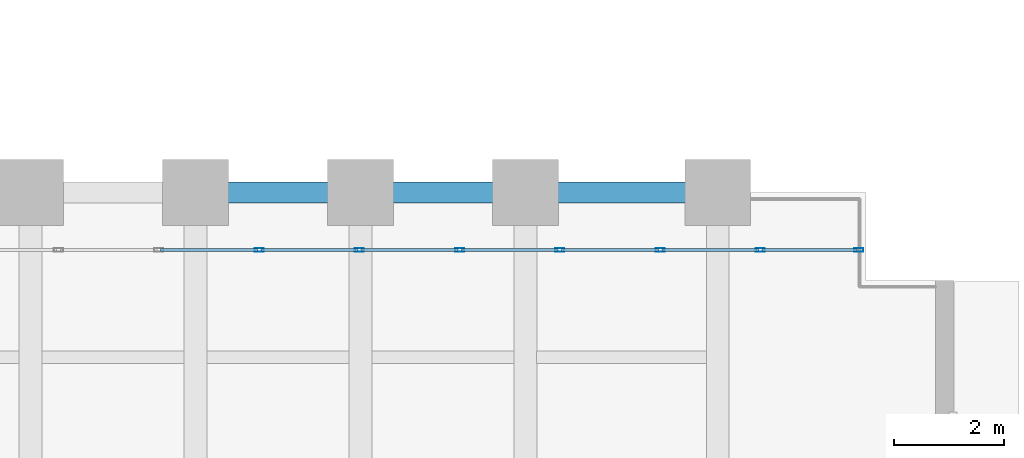
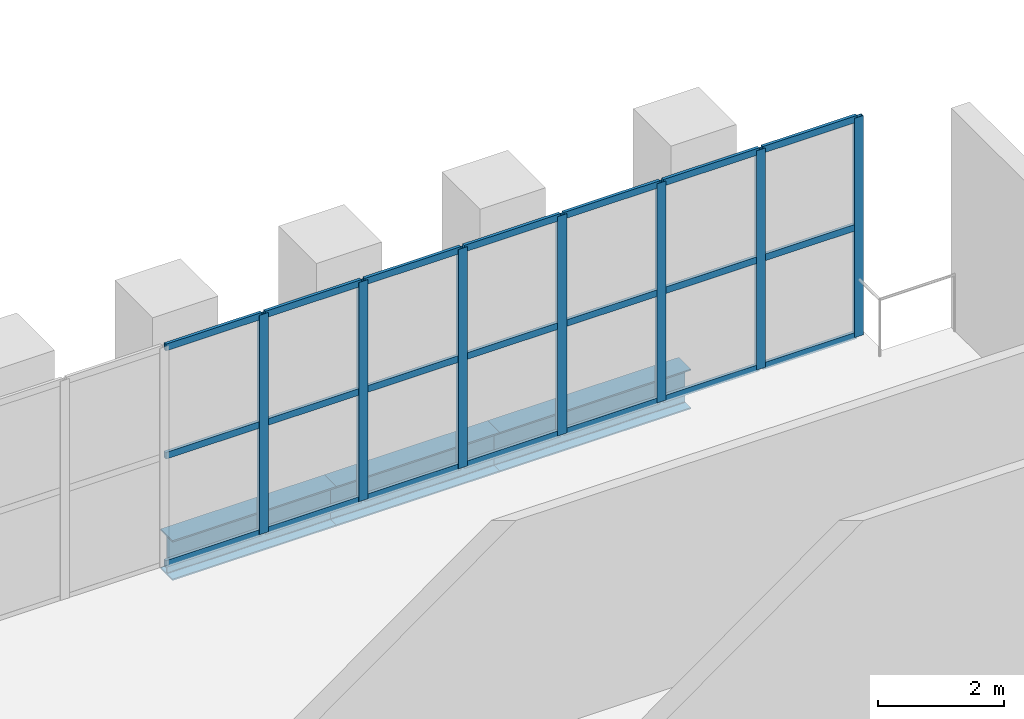
# One storey, part 18 of 27: 28 members, 3 beams, 1 element without a shape of its own.
"""IFC4 building model written with IfcOpenShell, lengths in metres."""

from ifc_helpers import new_model, si_unit, direction, frame, origin, origin_2d, place, context, subcontext, project, spatial, hollow_rectangle, i_section, extrude, material, layer, layer_set, material_profile, profile_set, type_object, element, aggregate, save


model = new_model("IFC4")

# Units and contexts
model_context = context("Model", 3, precision=1e-05, world=origin(), true_north=direction((0.0, 1.0)))
body_context = subcontext(model_context, "Body", "Model", "MODEL_VIEW")
ifc_project = project(units=[si_unit("LENGTHUNIT", "METRE"), si_unit("AREAUNIT", "SQUARE_METRE"), si_unit("VOLUMEUNIT", "CUBIC_METRE"), si_unit("PLANEANGLEUNIT", "RADIAN"), si_unit("MASSUNIT", "GRAM", prefix="KILO")], contexts=[model_context])

# Site, building, storey
site_placement = place(None, origin())
site = spatial("IfcSite", under=ifc_project, at=site_placement, CompositionType="ELEMENT")
building_placement = place(site_placement, origin())
building = spatial("IfcBuilding", under=site, at=building_placement, Name="Mawjdan Bourse Tower", CompositionType="ELEMENT")
storey_placement = place(building_placement, frame((0.0, 0.0, 84.60009765625)))
storey = spatial("IfcBuildingStorey", under=building, at=storey_placement, Name="L19", CompositionType="ELEMENT", Elevation=84.60009765625)

# Curtain wall, members
ifc_material_1 = material(Name="Thermally Broken Aluminium and Solar Glass", Category="aluminium")
ifc_layer = layer(ifc_material_1, 0.219970703125)
ifc_layer_set = layer_set([ifc_layer], Name="Thermally Broken Aluminium and Solar Glass")
curtain_wall_type = type_object("IfcCurtainWallType", Name="CW-RFG", PredefinedType="USERDEFINED", material=ifc_layer_set)
curtain_wall_placement = place(storey_placement, origin())
curtain_wall = element("IfcCurtainWall", 1, at=curtain_wall_placement, inside=storey, type_object=curtain_wall_type, Name="L19 Refuge Band North Louvre Curtain Wall", ObjectType="REFUGE BAND LOUVRE SCREEN", PredefinedType="USERDEFINED")
ifc_material_2 = material(Name="Thermally Broken Anodised Aluminium", Category="aluminium")
ifc_material_profile_1 = material_profile(ifc_material_2, hollow_rectangle(XDim=0.06494140625, YDim=0.1650390625, WallThickness=0.00390625, at=origin_2d()), Name="ALU-MUL-165X65")
ifc_profile_set_1 = profile_set([ifc_material_profile_1], Name="Thermally Broken Anodised Aluminium")
member_type_1 = type_object("IfcMemberType", Name="MUL-ALU-MUL-165X65", PredefinedType="MULLION", material=ifc_profile_set_1)
member_1_placement = place(storey_placement, frame((63.0673828125, 19.949951171875, 0.0), z_axis=(0.0, 0.0, 1.0), x_axis=(0.0, -1.0, 0.0)))
member_1 = element("IfcMember", 2, at=member_1_placement, type_object=member_type_1, Name="CW-RFG-L19-RFG-N mullion 1", PredefinedType="MULLION", context=body_context, shape_type="SweptSolid", body=[
    extrude(hollow_rectangle(XDim=0.06494140625, YDim=0.1650390625, WallThickness=0.00390625, at=origin_2d()), origin(), (0.0, 0.0, 1.0), 4.25),
])
member_2_placement = place(storey_placement, frame((61.276123046875, 19.949951171875, 0.0), z_axis=(0.0, 0.0, 1.0), x_axis=(0.0, -1.0, 0.0)))
member_2 = element("IfcMember", 3, at=member_2_placement, type_object=member_type_1, Name="CW-RFG-L19-RFG-N mullion 2", PredefinedType="MULLION", context=body_context, shape_type="SweptSolid", body=[
    extrude(hollow_rectangle(XDim=0.06494140625, YDim=0.1650390625, WallThickness=0.00390625, at=origin_2d()), origin(), (0.0, 0.0, 1.0), 4.25),
])
member_3_placement = place(storey_placement, frame((59.452392578125, 19.949951171875, 0.0), z_axis=(0.0, 0.0, 1.0), x_axis=(0.0, -1.0, 0.0)))
member_3 = element("IfcMember", 4, at=member_3_placement, type_object=member_type_1, Name="CW-RFG-L19-RFG-N mullion 3", PredefinedType="MULLION", context=body_context, shape_type="SweptSolid", body=[
    extrude(hollow_rectangle(XDim=0.06494140625, YDim=0.1650390625, WallThickness=0.00390625, at=origin_2d()), origin(), (0.0, 0.0, 1.0), 4.25),
])
member_4_placement = place(storey_placement, frame((57.628662109375, 19.949951171875, 0.0), z_axis=(0.0, 0.0, 1.0), x_axis=(0.0, -1.0, 0.0)))
member_4 = element("IfcMember", 5, at=member_4_placement, type_object=member_type_1, Name="CW-RFG-L19-RFG-N mullion 4", PredefinedType="MULLION", context=body_context, shape_type="SweptSolid", body=[
    extrude(hollow_rectangle(XDim=0.06494140625, YDim=0.1650390625, WallThickness=0.00390625, at=origin_2d()), origin(), (0.0, 0.0, 1.0), 4.25),
])
member_5_placement = place(storey_placement, frame((55.8046875, 19.949951171875, 0.0), z_axis=(0.0, 0.0, 1.0), x_axis=(0.0, -1.0, 0.0)))
member_5 = element("IfcMember", 6, at=member_5_placement, type_object=member_type_1, Name="CW-RFG-L19-RFG-N mullion 5", PredefinedType="MULLION", context=body_context, shape_type="SweptSolid", body=[
    extrude(hollow_rectangle(XDim=0.06494140625, YDim=0.1650390625, WallThickness=0.00390625, at=origin_2d()), origin(), (0.0, 0.0, 1.0), 4.25),
])
member_6_placement = place(storey_placement, frame((53.98095703125, 19.949951171875, 0.0), z_axis=(0.0, 0.0, 1.0), x_axis=(0.0, -1.0, 0.0)))
member_6 = element("IfcMember", 7, at=member_6_placement, type_object=member_type_1, Name="CW-RFG-L19-RFG-N mullion 6", PredefinedType="MULLION", context=body_context, shape_type="SweptSolid", body=[
    extrude(hollow_rectangle(XDim=0.06494140625, YDim=0.1650390625, WallThickness=0.00390625, at=origin_2d()), origin(), (0.0, 0.0, 1.0), 4.25),
])
member_7_placement = place(storey_placement, frame((52.1572265625, 19.949951171875, 0.0), z_axis=(0.0, 0.0, 1.0), x_axis=(0.0, -1.0, 0.0)))
member_7 = element("IfcMember", 8, at=member_7_placement, type_object=member_type_1, Name="CW-RFG-L19-RFG-N mullion 7", PredefinedType="MULLION", context=body_context, shape_type="SweptSolid", body=[
    extrude(hollow_rectangle(XDim=0.06494140625, YDim=0.1650390625, WallThickness=0.00390625, at=origin_2d()), origin(), (0.0, 0.0, 1.0), 4.25),
])

# Beams
ifc_material_3 = material(Name="Structural Steel S355", Category="steel")
ifc_material_profile_2 = material_profile(ifc_material_3, i_section(OverallWidth=0.381103515625, OverallDepth=0.77294921875, WebThickness=0.0166015625, FlangeThickness=0.027099609375, FilletRadius=0.021728515625, at=origin_2d()), Name="W30X173")
ifc_profile_set_2 = profile_set([ifc_material_profile_2], Name="Structural Steel S355")
beam_type = type_object("IfcBeamType", Name="SPN-W30X173", PredefinedType="SPANDREL", material=ifc_profile_set_2)
for number, where, z_axis, x_axis, name in (
    (9, (51.0, 21.0, -0.66650390625), (1.0, 0.0, 0.0), (0.0, 1.0, 0.0), "L19 Perimeter Masonry-Shelf Spandrel 020"),
    (10, (54.0, 21.0, -0.66650390625), (1.0, 0.0, 0.0), (0.0, 1.0, 0.0), "L19 Perimeter Masonry-Shelf Spandrel 021"),
):
    element("IfcBeam", number, at=place(storey_placement, frame(where, z_axis=z_axis, x_axis=x_axis)), inside=storey, type_object=beam_type, Name=name, PredefinedType="SPANDREL", context=body_context, shape_type="SweptSolid", body=[
        extrude(i_section(OverallWidth=0.381103515625, OverallDepth=0.77294921875, WebThickness=0.0166015625, FlangeThickness=0.027099609375, FilletRadius=0.021728515625, at=origin_2d()), origin(), (0.0, 0.0, 1.0), 3.0),
    ])
beam_placement = place(storey_placement, frame((57.0, 21.0, -0.66650390625), z_axis=(1.0, 0.0, 0.0), x_axis=(0.0, 1.0, 0.0)))
element("IfcBeam", 11, at=beam_placement, inside=storey, type_object=beam_type, Name="L19 Perimeter Masonry-Shelf Spandrel 022", PredefinedType="SPANDREL", context=body_context, shape_type="SweptSolid", body=[
    extrude(i_section(OverallWidth=0.381103515625, OverallDepth=0.77294921875, WebThickness=0.0166015625, FlangeThickness=0.027099609375, FilletRadius=0.021728515625, at=origin_2d()), origin(), (0.0, 0.0, 1.0), 3.5),
])

# Member
ifc_material_profile_3 = material_profile(ifc_material_2, hollow_rectangle(XDim=0.054931640625, YDim=0.1298828125, WallThickness=0.00341796875, at=origin_2d()), Name="ALU-TRN-130X55")
ifc_profile_set_3 = profile_set([ifc_material_profile_3], Name="Thermally Broken Anodised Aluminium")
member_type_2 = type_object("IfcMemberType", Name="TRN-ALU-TRN-130X55", PredefinedType="USERDEFINED", material=ifc_profile_set_3)
member_8_placement = place(storey_placement, frame((63.034912109375, 19.949951171875, 0.02734375), z_axis=(-1.0, 0.0, 0.0), x_axis=(0.0, -1.0, 0.0)))
member_8 = element("IfcMember", 12, at=member_8_placement, type_object=member_type_2, Name="CW-RFG-L19-RFG-N transom 1.1", ObjectType="TRANSOM", PredefinedType="USERDEFINED", context=body_context, shape_type="SweptSolid", body=[
    extrude(hollow_rectangle(XDim=0.054931640625, YDim=0.1298828125, WallThickness=0.00341796875, at=origin_2d()), origin(), (0.0, 0.0, 1.0), 1.726318359375),
])

member_9_placement = place(storey_placement, frame((63.034912109375, 19.949951171875, 2.125), z_axis=(-1.0, 0.0, 0.0), x_axis=(0.0, -1.0, 0.0)))
member_9 = element("IfcMember", 13, at=member_9_placement, type_object=member_type_2, Name="CW-RFG-L19-RFG-N transom 1.2", ObjectType="TRANSOM", PredefinedType="USERDEFINED", context=body_context, shape_type="SweptSolid", body=[
    extrude(hollow_rectangle(XDim=0.054931640625, YDim=0.1298828125, WallThickness=0.00341796875, at=origin_2d()), origin(), (0.0, 0.0, 1.0), 1.726318359375),
])

member_10_placement = place(storey_placement, frame((63.034912109375, 19.949951171875, 4.222412109375), z_axis=(-1.0, 0.0, 0.0), x_axis=(0.0, -1.0, 0.0)))
member_10 = element("IfcMember", 14, at=member_10_placement, type_object=member_type_2, Name="CW-RFG-L19-RFG-N transom 1.3", ObjectType="TRANSOM", PredefinedType="USERDEFINED", context=body_context, shape_type="SweptSolid", body=[
    extrude(hollow_rectangle(XDim=0.054931640625, YDim=0.1298828125, WallThickness=0.00341796875, at=origin_2d()), origin(), (0.0, 0.0, 1.0), 1.726318359375),
])

member_11_placement = place(storey_placement, frame((61.24365234375, 19.949951171875, 0.02734375), z_axis=(-1.0, 0.0, 0.0), x_axis=(0.0, -1.0, 0.0)))
member_11 = element("IfcMember", 15, at=member_11_placement, type_object=member_type_2, Name="CW-RFG-L19-RFG-N transom 2.1", ObjectType="TRANSOM", PredefinedType="USERDEFINED", context=body_context, shape_type="SweptSolid", body=[
    extrude(hollow_rectangle(XDim=0.054931640625, YDim=0.1298828125, WallThickness=0.00341796875, at=origin_2d()), origin(), (0.0, 0.0, 1.0), 1.7587890625),
])

member_12_placement = place(storey_placement, frame((61.24365234375, 19.949951171875, 2.125), z_axis=(-1.0, 0.0, 0.0), x_axis=(0.0, -1.0, 0.0)))
member_12 = element("IfcMember", 16, at=member_12_placement, type_object=member_type_2, Name="CW-RFG-L19-RFG-N transom 2.2", ObjectType="TRANSOM", PredefinedType="USERDEFINED", context=body_context, shape_type="SweptSolid", body=[
    extrude(hollow_rectangle(XDim=0.054931640625, YDim=0.1298828125, WallThickness=0.00341796875, at=origin_2d()), origin(), (0.0, 0.0, 1.0), 1.7587890625),
])

member_13_placement = place(storey_placement, frame((61.24365234375, 19.949951171875, 4.222412109375), z_axis=(-1.0, 0.0, 0.0), x_axis=(0.0, -1.0, 0.0)))
member_13 = element("IfcMember", 17, at=member_13_placement, type_object=member_type_2, Name="CW-RFG-L19-RFG-N transom 2.3", ObjectType="TRANSOM", PredefinedType="USERDEFINED", context=body_context, shape_type="SweptSolid", body=[
    extrude(hollow_rectangle(XDim=0.054931640625, YDim=0.1298828125, WallThickness=0.00341796875, at=origin_2d()), origin(), (0.0, 0.0, 1.0), 1.7587890625),
])

member_14_placement = place(storey_placement, frame((59.419921875, 19.949951171875, 0.02734375), z_axis=(-1.0, 0.0, 0.0), x_axis=(0.0, -1.0, 0.0)))
member_14 = element("IfcMember", 18, at=member_14_placement, type_object=member_type_2, Name="CW-RFG-L19-RFG-N transom 3.1", ObjectType="TRANSOM", PredefinedType="USERDEFINED", context=body_context, shape_type="SweptSolid", body=[
    extrude(hollow_rectangle(XDim=0.054931640625, YDim=0.1298828125, WallThickness=0.00341796875, at=origin_2d()), origin(), (0.0, 0.0, 1.0), 1.7587890625),
])

member_15_placement = place(storey_placement, frame((59.419921875, 19.949951171875, 2.125), z_axis=(-1.0, 0.0, 0.0), x_axis=(0.0, -1.0, 0.0)))
member_15 = element("IfcMember", 19, at=member_15_placement, type_object=member_type_2, Name="CW-RFG-L19-RFG-N transom 3.2", ObjectType="TRANSOM", PredefinedType="USERDEFINED", context=body_context, shape_type="SweptSolid", body=[
    extrude(hollow_rectangle(XDim=0.054931640625, YDim=0.1298828125, WallThickness=0.00341796875, at=origin_2d()), origin(), (0.0, 0.0, 1.0), 1.7587890625),
])

member_16_placement = place(storey_placement, frame((59.419921875, 19.949951171875, 4.222412109375), z_axis=(-1.0, 0.0, 0.0), x_axis=(0.0, -1.0, 0.0)))
member_16 = element("IfcMember", 20, at=member_16_placement, type_object=member_type_2, Name="CW-RFG-L19-RFG-N transom 3.3", ObjectType="TRANSOM", PredefinedType="USERDEFINED", context=body_context, shape_type="SweptSolid", body=[
    extrude(hollow_rectangle(XDim=0.054931640625, YDim=0.1298828125, WallThickness=0.00341796875, at=origin_2d()), origin(), (0.0, 0.0, 1.0), 1.7587890625),
])

member_17_placement = place(storey_placement, frame((57.59619140625, 19.949951171875, 0.02734375), z_axis=(-1.0, 0.0, 0.0), x_axis=(0.0, -1.0, 0.0)))
member_17 = element("IfcMember", 21, at=member_17_placement, type_object=member_type_2, Name="CW-RFG-L19-RFG-N transom 4.1", ObjectType="TRANSOM", PredefinedType="USERDEFINED", context=body_context, shape_type="SweptSolid", body=[
    extrude(hollow_rectangle(XDim=0.054931640625, YDim=0.1298828125, WallThickness=0.00341796875, at=origin_2d()), origin(), (0.0, 0.0, 1.0), 1.759033203125),
])

member_18_placement = place(storey_placement, frame((57.59619140625, 19.949951171875, 2.125), z_axis=(-1.0, 0.0, 0.0), x_axis=(0.0, -1.0, 0.0)))
member_18 = element("IfcMember", 22, at=member_18_placement, type_object=member_type_2, Name="CW-RFG-L19-RFG-N transom 4.2", ObjectType="TRANSOM", PredefinedType="USERDEFINED", context=body_context, shape_type="SweptSolid", body=[
    extrude(hollow_rectangle(XDim=0.054931640625, YDim=0.1298828125, WallThickness=0.00341796875, at=origin_2d()), origin(), (0.0, 0.0, 1.0), 1.759033203125),
])

member_19_placement = place(storey_placement, frame((57.59619140625, 19.949951171875, 4.222412109375), z_axis=(-1.0, 0.0, 0.0), x_axis=(0.0, -1.0, 0.0)))
member_19 = element("IfcMember", 23, at=member_19_placement, type_object=member_type_2, Name="CW-RFG-L19-RFG-N transom 4.3", ObjectType="TRANSOM", PredefinedType="USERDEFINED", context=body_context, shape_type="SweptSolid", body=[
    extrude(hollow_rectangle(XDim=0.054931640625, YDim=0.1298828125, WallThickness=0.00341796875, at=origin_2d()), origin(), (0.0, 0.0, 1.0), 1.759033203125),
])

member_20_placement = place(storey_placement, frame((55.772216796875, 19.949951171875, 0.02734375), z_axis=(-1.0, 0.0, 0.0), x_axis=(0.0, -1.0, 0.0)))
member_20 = element("IfcMember", 24, at=member_20_placement, type_object=member_type_2, Name="CW-RFG-L19-RFG-N transom 5.1", ObjectType="TRANSOM", PredefinedType="USERDEFINED", context=body_context, shape_type="SweptSolid", body=[
    extrude(hollow_rectangle(XDim=0.054931640625, YDim=0.1298828125, WallThickness=0.00341796875, at=origin_2d()), origin(), (0.0, 0.0, 1.0), 1.7587890625),
])

member_21_placement = place(storey_placement, frame((55.772216796875, 19.949951171875, 2.125), z_axis=(-1.0, 0.0, 0.0), x_axis=(0.0, -1.0, 0.0)))
member_21 = element("IfcMember", 25, at=member_21_placement, type_object=member_type_2, Name="CW-RFG-L19-RFG-N transom 5.2", ObjectType="TRANSOM", PredefinedType="USERDEFINED", context=body_context, shape_type="SweptSolid", body=[
    extrude(hollow_rectangle(XDim=0.054931640625, YDim=0.1298828125, WallThickness=0.00341796875, at=origin_2d()), origin(), (0.0, 0.0, 1.0), 1.7587890625),
])

member_22_placement = place(storey_placement, frame((55.772216796875, 19.949951171875, 4.222412109375), z_axis=(-1.0, 0.0, 0.0), x_axis=(0.0, -1.0, 0.0)))
member_22 = element("IfcMember", 26, at=member_22_placement, type_object=member_type_2, Name="CW-RFG-L19-RFG-N transom 5.3", ObjectType="TRANSOM", PredefinedType="USERDEFINED", context=body_context, shape_type="SweptSolid", body=[
    extrude(hollow_rectangle(XDim=0.054931640625, YDim=0.1298828125, WallThickness=0.00341796875, at=origin_2d()), origin(), (0.0, 0.0, 1.0), 1.7587890625),
])

member_23_placement = place(storey_placement, frame((53.948486328125, 19.949951171875, 0.02734375), z_axis=(-1.0, 0.0, 0.0), x_axis=(0.0, -1.0, 0.0)))
member_23 = element("IfcMember", 27, at=member_23_placement, type_object=member_type_2, Name="CW-RFG-L19-RFG-N transom 6.1", ObjectType="TRANSOM", PredefinedType="USERDEFINED", context=body_context, shape_type="SweptSolid", body=[
    extrude(hollow_rectangle(XDim=0.054931640625, YDim=0.1298828125, WallThickness=0.00341796875, at=origin_2d()), origin(), (0.0, 0.0, 1.0), 1.7587890625),
])

member_24_placement = place(storey_placement, frame((53.948486328125, 19.949951171875, 2.125), z_axis=(-1.0, 0.0, 0.0), x_axis=(0.0, -1.0, 0.0)))
member_24 = element("IfcMember", 28, at=member_24_placement, type_object=member_type_2, Name="CW-RFG-L19-RFG-N transom 6.2", ObjectType="TRANSOM", PredefinedType="USERDEFINED", context=body_context, shape_type="SweptSolid", body=[
    extrude(hollow_rectangle(XDim=0.054931640625, YDim=0.1298828125, WallThickness=0.00341796875, at=origin_2d()), origin(), (0.0, 0.0, 1.0), 1.7587890625),
])

member_25_placement = place(storey_placement, frame((53.948486328125, 19.949951171875, 4.222412109375), z_axis=(-1.0, 0.0, 0.0), x_axis=(0.0, -1.0, 0.0)))
member_25 = element("IfcMember", 29, at=member_25_placement, type_object=member_type_2, Name="CW-RFG-L19-RFG-N transom 6.3", ObjectType="TRANSOM", PredefinedType="USERDEFINED", context=body_context, shape_type="SweptSolid", body=[
    extrude(hollow_rectangle(XDim=0.054931640625, YDim=0.1298828125, WallThickness=0.00341796875, at=origin_2d()), origin(), (0.0, 0.0, 1.0), 1.7587890625),
])

member_26_placement = place(storey_placement, frame((52.124755859375, 19.949951171875, 0.02734375), z_axis=(-1.0, 0.0, 0.0), x_axis=(0.0, -1.0, 0.0)))
member_26 = element("IfcMember", 30, at=member_26_placement, type_object=member_type_2, Name="CW-RFG-L19-RFG-N transom 7.1", ObjectType="TRANSOM", PredefinedType="USERDEFINED", context=body_context, shape_type="SweptSolid", body=[
    extrude(hollow_rectangle(XDim=0.054931640625, YDim=0.1298828125, WallThickness=0.00341796875, at=origin_2d()), origin(), (0.0, 0.0, 1.0), 1.759033203125),
])

member_27_placement = place(storey_placement, frame((52.124755859375, 19.949951171875, 2.125), z_axis=(-1.0, 0.0, 0.0), x_axis=(0.0, -1.0, 0.0)))
member_27 = element("IfcMember", 31, at=member_27_placement, type_object=member_type_2, Name="CW-RFG-L19-RFG-N transom 7.2", ObjectType="TRANSOM", PredefinedType="USERDEFINED", context=body_context, shape_type="SweptSolid", body=[
    extrude(hollow_rectangle(XDim=0.054931640625, YDim=0.1298828125, WallThickness=0.00341796875, at=origin_2d()), origin(), (0.0, 0.0, 1.0), 1.759033203125),
])

member_28_placement = place(storey_placement, frame((52.124755859375, 19.949951171875, 4.222412109375), z_axis=(-1.0, 0.0, 0.0), x_axis=(0.0, -1.0, 0.0)))
member_28 = element("IfcMember", 32, at=member_28_placement, type_object=member_type_2, Name="CW-RFG-L19-RFG-N transom 7.3", ObjectType="TRANSOM", PredefinedType="USERDEFINED", context=body_context, shape_type="SweptSolid", body=[
    extrude(hollow_rectangle(XDim=0.054931640625, YDim=0.1298828125, WallThickness=0.00341796875, at=origin_2d()), origin(), (0.0, 0.0, 1.0), 1.759033203125),
])

aggregate(curtain_wall, [member_1, member_2, member_3, member_4, member_5, member_6, member_7, member_8, member_9, member_10, member_11, member_12, member_13, member_14, member_15, member_16, member_17, member_18, member_19, member_20, member_21, member_22, member_23, member_24, member_25, member_26, member_27, member_28])

save(model, "model.ifc")
